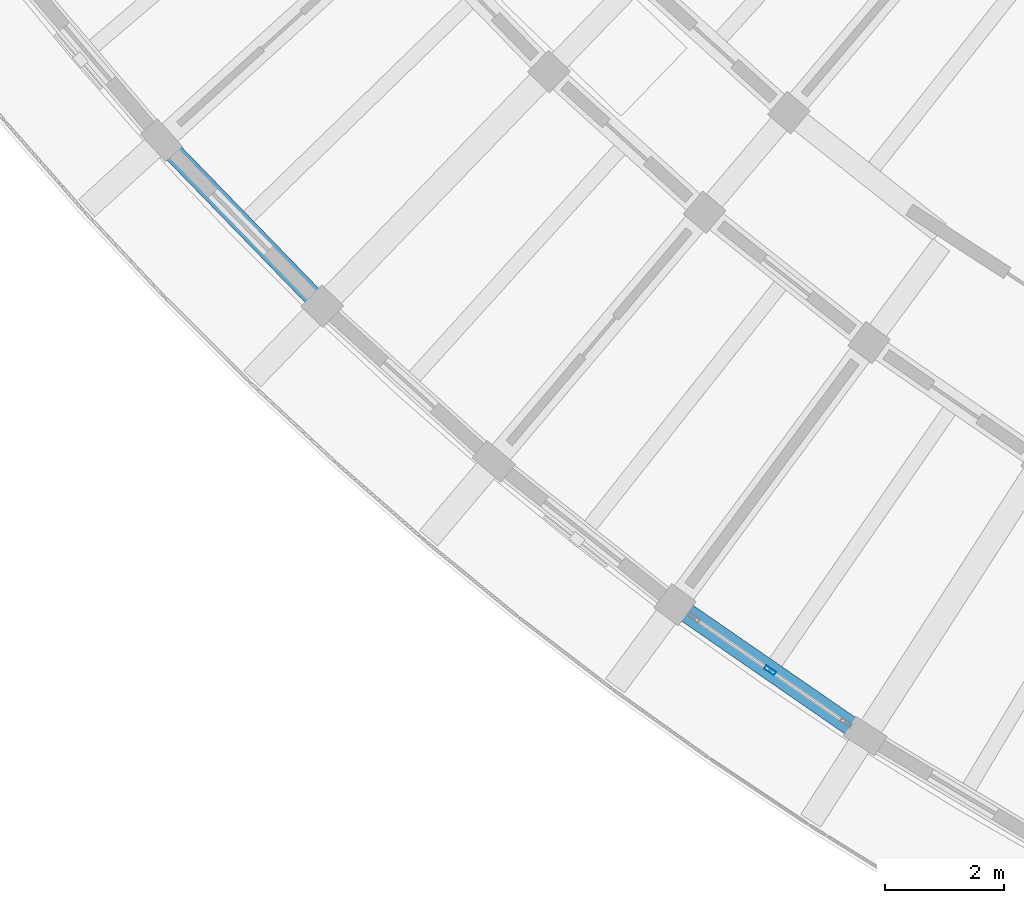
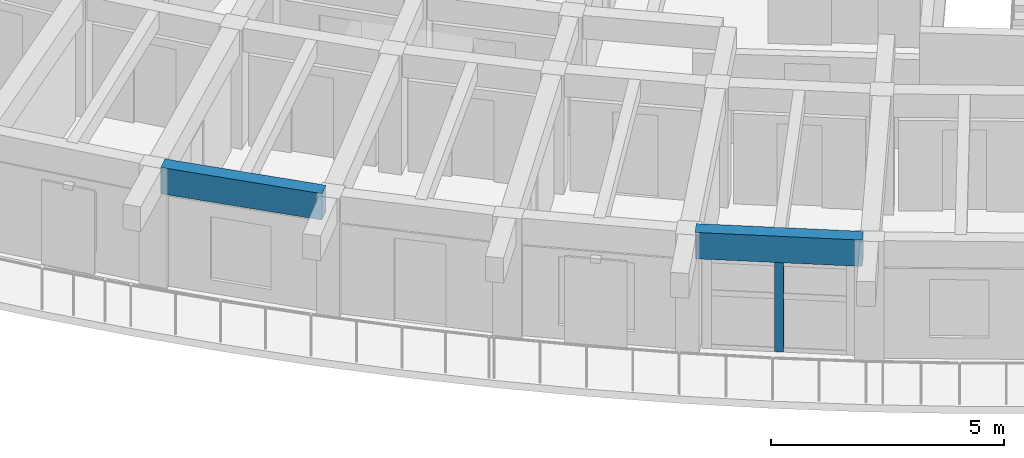
# One storey, part 3 of 62: 2 beams, 1 member, 1 element without a shape of its own.
"""IFC4 building model written with IfcOpenShell, lengths in metres."""

import ifcopenshell
import ifcopenshell.guid

model = None  # the IFC model being written
_history = None  # IfcOwnerHistory: only IFC2X3 demands one
_inside = {}  # id of a spatial element -> (the spatial element, [elements in it])
_under = {}  # id of a project, library or spatial element -> (it, [spatial elements below it])
_declared = {}  # id of a project -> (the project, [libraries it declares])
_typed = {}  # id of a type object -> (the type object, [elements of that type])
_made_of = {}  # id of a material, layer set ... -> (it, [elements and type objects made of it])


def new_model(schema):
    """Start an empty IFC model of exactly this schema.

    Asked for "IFC4X3", IfcOpenShell would pick the latest addendum, in which some entities
    have other attributes; the version numbers below select the first issue.
    IFC2X3 requires an IfcOwnerHistory on every rooted entity: one is made here for all.
    """
    global model, _history
    if schema == "IFC4X3":
        model = ifcopenshell.file(schema_version=(4, 3, 0, 0))
    else:
        model = ifcopenshell.file(schema=schema)
    _inside.clear()
    _under.clear()
    _declared.clear()
    _typed.clear()
    _made_of.clear()
    _history = None
    if model.schema == "IFC2X3":
        org = make("IfcOrganization", Name="unknown")
        user = make(
            "IfcPersonAndOrganization",
            ThePerson=make("IfcPerson", FamilyName="unknown"),
            TheOrganization=org,
        )
        app = make(
            "IfcApplication",
            ApplicationDeveloper=org,
            Version="unknown",
            ApplicationFullName="unknown",
            ApplicationIdentifier="unknown",
        )
        _history = make(
            "IfcOwnerHistory",
            OwningUser=user,
            OwningApplication=app,
            ChangeAction="ADDED",
            CreationDate=0,
        )
    return model


def make(cls, **values):
    """One entity of the class cls with the attributes given. An attribute that is None is left unset."""
    return model.create_entity(
        cls, **{name: value for name, value in values.items() if value is not None}
    )


def rooted(cls, **values):
    """An entity with a GlobalId (a new one), such as an element, a storey or a relation."""
    return make(cls, GlobalId=ifcopenshell.guid.new(), OwnerHistory=_history, **values)


def si_unit(unit_type, name, prefix=None):
    """IfcSIUnit, for example si_unit("LENGTHUNIT", "METRE", prefix="MILLI")."""
    return make("IfcSIUnit", UnitType=unit_type, Prefix=prefix, Name=name)


def assignment(units):
    """IfcUnitAssignment: the units of a project."""
    return None if units is None else make("IfcUnitAssignment", Units=units)


def point(xyz):
    """IfcCartesianPoint."""
    return None if xyz is None else make("IfcCartesianPoint", Coordinates=xyz)


def direction(xyz):
    """IfcDirection."""
    return None if xyz is None else make("IfcDirection", DirectionRatios=xyz)


def frame(location, z_axis=None, x_axis=None):
    """IfcAxis2Placement3D, a coordinate frame: its origin and axes. An axis left out is left unset."""
    return make(
        "IfcAxis2Placement3D",
        Location=point(location),
        Axis=direction(z_axis),
        RefDirection=direction(x_axis),
    )


def frame_2d(location, x_axis=None):
    """IfcAxis2Placement2D, a coordinate frame in the plane: its origin and x axis."""
    return make(
        "IfcAxis2Placement2D", Location=point(location), RefDirection=direction(x_axis)
    )


def origin():
    """The frame at (0, 0, 0) with its axes left unset."""
    return frame((0.0, 0.0, 0.0))


def origin_2d():
    """The frame at (0, 0) in the plane with its x axis left unset."""
    return frame_2d((0.0, 0.0))


def place(relative_to, where):
    """IfcLocalPlacement: puts the frame where relative to a parent placement (None: the world)."""
    return make(
        "IfcLocalPlacement", PlacementRelTo=relative_to, RelativePlacement=where
    )


def context(
    kind, dimensions, precision=None, world=None, true_north=None, identifier=None
):
    """IfcGeometricRepresentationContext, for example the 3D "Model" context."""
    return make(
        "IfcGeometricRepresentationContext",
        ContextIdentifier=identifier,
        ContextType=kind,
        CoordinateSpaceDimension=dimensions,
        Precision=precision,
        WorldCoordinateSystem=world,
        TrueNorth=true_north,
    )


def subcontext(parent, identifier, kind, view, scale=None):
    """IfcGeometricRepresentationSubContext, for example "Body" below "Model"."""
    return make(
        "IfcGeometricRepresentationSubContext",
        ContextIdentifier=identifier,
        ContextType=kind,
        ParentContext=parent,
        TargetScale=scale,
        TargetView=view,
    )


def project(units=None, contexts=None):
    """IfcProject with its units and contexts."""
    return rooted(
        "IfcProject",
        Name="project",
        RepresentationContexts=contexts,
        UnitsInContext=assignment(units),
    )


def spatial(cls, under=None, at=None, **own):
    """A site, building, storey or space (cls), placed at a placement, below another one or the project."""
    s = rooted(cls, ObjectPlacement=at, **own)
    if under is not None:
        _under.setdefault(under.id(), (under, []))[1].append(s)
    return s


def profile(cls, at=None, kind="AREA", **sizes):
    """A parametric profile (cls). Its sizes go by their IFC names, for example OverallWidth=200.0."""
    return make(cls, ProfileType=kind, Position=at, **sizes)


def rectangle(**sizes):
    """IfcRectangleProfileDef."""
    return profile("IfcRectangleProfileDef", **sizes)


def hollow_rectangle(**sizes):
    """IfcRectangleHollowProfileDef."""
    return profile("IfcRectangleHollowProfileDef", **sizes)


def extrude(swept, where, along, depth):
    """IfcExtrudedAreaSolid: the profile swept, set in the frame where, extruded along a direction by depth."""
    return make(
        "IfcExtrudedAreaSolid",
        SweptArea=swept,
        Position=where,
        ExtrudedDirection=direction(along),
        Depth=depth,
    )


def shape(context_of_items, identifier, shape_type, items):
    """IfcShapeRepresentation: the items that make up one representation, for example the "Body"."""
    return make(
        "IfcShapeRepresentation",
        ContextOfItems=context_of_items,
        RepresentationIdentifier=identifier,
        RepresentationType=shape_type,
        Items=items,
    )


def material(Name=None, Category=None):
    """IfcMaterial."""
    return make("IfcMaterial", Name=Name, Category=Category)


def material_profile(
    of_material, cross_section, Name=None, Category=None, Priority=None
):
    """IfcMaterialProfile: a cross section and its material."""
    return make(
        "IfcMaterialProfile",
        Name=Name,
        Material=of_material,
        Profile=cross_section,
        Priority=Priority,
        Category=Category,
    )


def profile_set(profiles, Name=None, composite=None):
    """IfcMaterialProfileSet."""
    return make(
        "IfcMaterialProfileSet",
        Name=Name,
        MaterialProfiles=profiles,
        CompositeProfile=composite,
    )


def made_of(thing, what):
    """Note that an element or type object is made of a material, layer set ...; save() writes the relation."""
    if what is not None:
        _made_of.setdefault(what.id(), (what, []))[1].append(thing)
    return thing


def type_object(cls, material=None, **own):
    """A type object (cls), such as IfcWallType, which elements share."""
    return made_of(rooted(cls, **own), material)


def element(
    cls,
    number,
    at=None,
    inside=None,
    cuts=None,
    type_object=None,
    material=None,
    context=None,
    identifier="Body",
    shape_type=None,
    held_by="IfcProductDefinitionShape",
    body=None,
    shapes=None,
    **own,
):
    """One element of the class cls, such as IfcWall. Its Tag is "e" and its number.

    at: its placement. inside: the storey or other place that contains it. cuts: it is an
    opening in that element (IfcRelVoidsElement). A single representation is given by context,
    identifier, shape_type and body (its items); several are given by shapes. held_by: the class
    of the entity that holds the representations. save() writes the other relations.
    """
    e = rooted(cls, Tag="e%d" % number, ObjectPlacement=at, **own)
    if body is not None:
        shapes = [shape(context, identifier, shape_type, body)]
    if shapes is not None:
        e.Representation = make(held_by, Representations=shapes)
    if inside is not None:
        _inside.setdefault(inside.id(), (inside, []))[1].append(e)
    if cuts is not None:
        rooted(
            "IfcRelVoidsElement", RelatingBuildingElement=cuts, RelatedOpeningElement=e
        )
    if type_object is not None:
        _typed.setdefault(type_object.id(), (type_object, []))[1].append(e)
    return made_of(e, material)


def aggregate(whole, parts):
    """IfcRelAggregates: a whole, such as a stair, and the parts it consists of."""
    return rooted("IfcRelAggregates", RelatingObject=whole, RelatedObjects=parts)


def save(model, path):
    """Write the relations noted so far, then the file.

    IfcRelAggregates (storeys below a building ...), IfcRelContainedInSpatialStructure (elements
    in a storey), IfcRelDefinesByType, IfcRelAssociatesMaterial and IfcRelDeclares: one each for
    every whole, place, type object, material and project.
    """
    for whole, parts in _under.values():
        aggregate(whole, parts)
    for where, things in _inside.values():
        rooted(
            "IfcRelContainedInSpatialStructure",
            RelatedElements=things,
            RelatingStructure=where,
        )
    for kind, things in _typed.values():
        rooted("IfcRelDefinesByType", RelatedObjects=things, RelatingType=kind)
    for what, things in _made_of.values():
        rooted("IfcRelAssociatesMaterial", RelatedObjects=things, RelatingMaterial=what)
    for by, libraries in _declared.values():
        rooted("IfcRelDeclares", RelatingContext=by, RelatedDefinitions=libraries)
    model.write(path)


model = new_model("IFC4")

# Units and contexts
model_context = context("Model", 3, precision=1e-05, world=origin(), true_north=direction((0.0, 1.0)))
body_context = subcontext(model_context, "Body", "Model", "MODEL_VIEW")
ifc_project = project(units=[si_unit("LENGTHUNIT", "METRE"), si_unit("AREAUNIT", "SQUARE_METRE"), si_unit("VOLUMEUNIT", "CUBIC_METRE"), si_unit("PLANEANGLEUNIT", "RADIAN"), si_unit("MASSUNIT", "GRAM", prefix="KILO")], contexts=[model_context])

# Site, building, storey
site_placement = place(None, origin())
site = spatial("IfcSite", under=ifc_project, at=site_placement, CompositionType="ELEMENT")
building_placement = place(site_placement, origin())
building = spatial("IfcBuilding", under=site, at=building_placement, Name="Tanwirah Colonnade Gardens", CompositionType="ELEMENT")
storey_placement = place(building_placement, frame((0.0, 0.0, 32.360107421875)))
storey = spatial("IfcBuildingStorey", under=building, at=storey_placement, Name="L09", CompositionType="ELEMENT", Elevation=32.360107421875)

# Curtain wall, member
ifc_material_1 = material(Name="Bronze-anodised aluminium and solar-control low-E glass", Category="aluminium")
curtain_wall_type = type_object("IfcCurtainWallType", Name="CW-LOB", PredefinedType="NOTDEFINED", material=ifc_material_1)
curtain_wall_placement = place(storey_placement, origin())
curtain_wall = element("IfcCurtainWall", 1, at=curtain_wall_placement, inside=storey, type_object=curtain_wall_type, Name="Curtain Wall CW-C-L09-OUT-10", PredefinedType="NOTDEFINED")
ifc_material_2 = material(Name="Bronze-anodised aluminium", Category="aluminium")
ifc_material_profile_1 = material_profile(ifc_material_2, hollow_rectangle(XDim=0.070068359375, YDim=0.199951171875, WallThickness=0.00390625, at=origin_2d()), Name="CW-MUL 70x200x4")
ifc_profile_set_1 = profile_set([ifc_material_profile_1], Name="Bronze-anodised aluminium")
member_type = type_object("IfcMemberType", Name="CWM-70x200", PredefinedType="MULLION", material=ifc_profile_set_1)
member_placement = place(storey_placement, frame((31.181640625, 15.523193359375, 0.0), z_axis=(0.0, 0.0, 1.0), x_axis=(0.568202237528, 0.82288894589, 0.0)))
member = element("IfcMember", 2, at=member_placement, type_object=member_type, Name="CW-LOB mullion 2", PredefinedType="MULLION", context=body_context, shape_type="SweptSolid", body=[
    extrude(hollow_rectangle(XDim=0.070068359375, YDim=0.199951171875, WallThickness=0.00390625, at=origin_2d()), origin(), (0.0, 0.0, 1.0), 2.35498046875),
])
aggregate(curtain_wall, [member])

# Beams
ifc_material_3 = material(Name="Precast concrete C40/50", Category="concrete")
ifc_material_profile_2 = material_profile(ifc_material_3, rectangle(XDim=0.330078125, YDim=0.68994140625, at=origin_2d()), Name="PC-SP 330x690")
ifc_profile_set_2 = profile_set([ifc_material_profile_2], Name="Precast concrete C40/50")
beam_type = type_object("IfcBeamType", Name="SP-PC280", PredefinedType="SPANDREL", material=ifc_profile_set_2)
beam_1_placement = place(storey_placement, frame((21.0244140625, 24.352783203125, 2.769775390625), z_axis=(0.696231699401, -0.717817122079, 0.0), x_axis=(0.717817122079, 0.696231699401, 0.0)))
element("IfcBeam", 3, at=beam_1_placement, inside=storey, type_object=beam_type, Name="Block C L09 Circumferential Beam 7-R3", PredefinedType="SPANDREL", context=body_context, shape_type="SweptSolid", body=[
    extrude(rectangle(XDim=0.330078125, YDim=0.68994140625, at=origin_2d()), origin(), (0.0, 0.0, 1.0), 3.5966796875),
])
beam_2_placement = place(storey_placement, frame((29.70166015625, 16.545166015625, 2.769775390625), z_axis=(0.822907478943, -0.568175396423, 0.0), x_axis=(0.568175396423, 0.822907478943, 0.0)))
element("IfcBeam", 4, at=beam_2_placement, inside=storey, type_object=beam_type, Name="Block C L09 Circumferential Beam 10-R3", PredefinedType="SPANDREL", context=body_context, shape_type="SweptSolid", body=[
    extrude(rectangle(XDim=0.330078125, YDim=0.68994140625, at=origin_2d()), origin(), (0.0, 0.0, 1.0), 3.596923828125),
])

save(model, "model.ifc")
